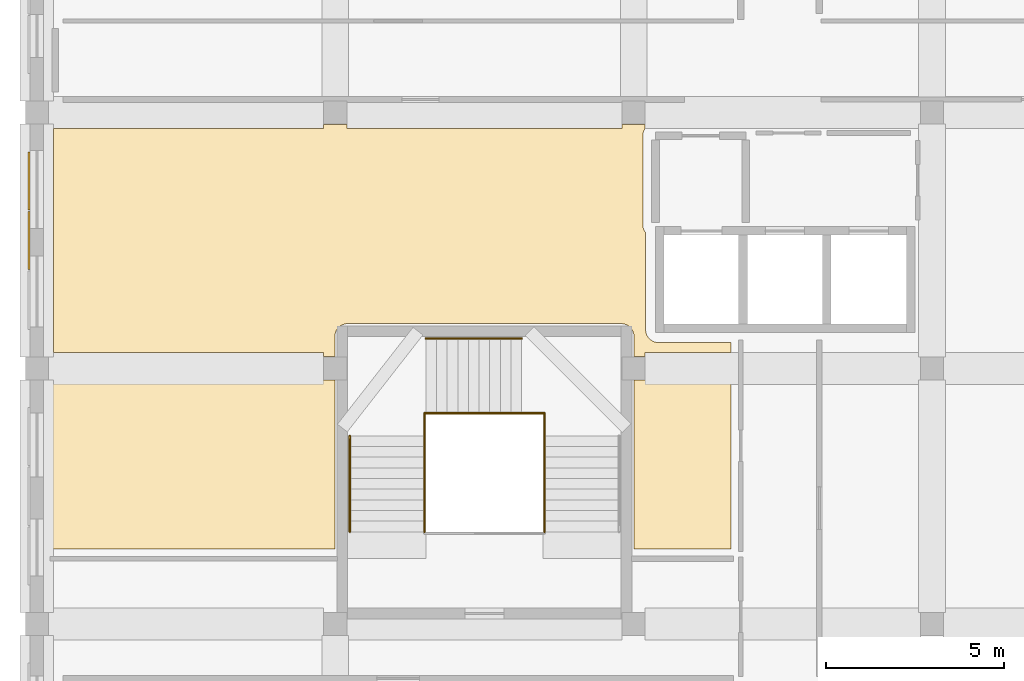
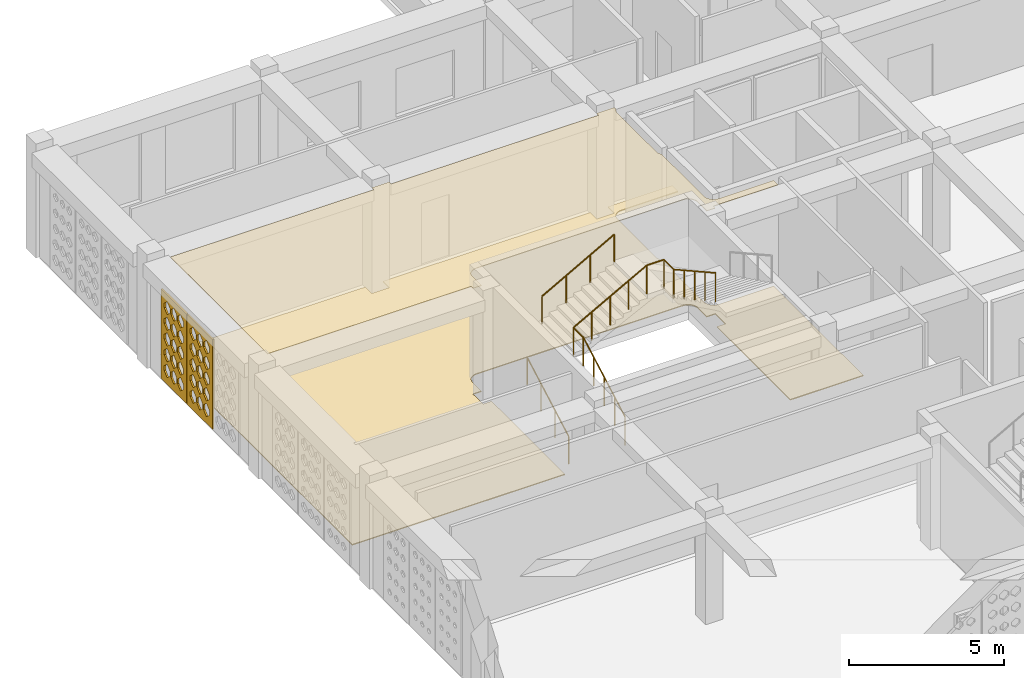
# One storey, part 26 of 47: 5 railings, 4 coverings.
"""IFC4 building model written with IfcOpenShell, lengths in metres."""

from ifc_helpers import new_model, si_unit, derived_unit, direction, frame, origin, origin_2d, place, context, subcontext, project, spatial, polyline, circle, outline, extrude, material, layer, layer_set, type_object, element, save


model = new_model("IFC4")

# Units and contexts
model_context = context("Model", 3, precision=1e-05, world=origin(), true_north=direction((0.0, 1.0)))
body_context = subcontext(model_context, "Body", "Model", "MODEL_VIEW")
ifc_project = project(units=[si_unit("LENGTHUNIT", "METRE"), si_unit("AREAUNIT", "SQUARE_METRE"), si_unit("VOLUMEUNIT", "CUBIC_METRE"), si_unit("PLANEANGLEUNIT", "RADIAN"), si_unit("MASSUNIT", "GRAM", prefix="KILO"), derived_unit("THERMALTRANSMITTANCEUNIT", [(si_unit("POWERUNIT", "WATT"), 1), (si_unit("LENGTHUNIT", "METRE"), -2), (si_unit("THERMODYNAMICTEMPERATUREUNIT", "KELVIN"), -1)])], contexts=[model_context])

# Site, building, storey
site_placement = place(None, origin())
site = spatial("IfcSite", under=ifc_project, at=site_placement, CompositionType="ELEMENT")
building_placement = place(site_placement, origin())
building = spatial("IfcBuilding", under=site, at=building_placement, Name="Veybourne Emporium", CompositionType="ELEMENT")
storey_placement = place(building_placement, frame((0.0, 0.0, 23.39990234375)))
storey = spatial("IfcBuildingStorey", under=building, at=storey_placement, Name="L05", CompositionType="ELEMENT", Elevation=23.39990234375)

# Coverings
ifc_material_1 = material(Name="Mineral Acoustic Ceiling", Category="gypsum")
ifc_layer_1 = layer(ifc_material_1, 0.02490234375)
ifc_layer_set_1 = layer_set([ifc_layer_1], Name="Mineral Acoustic Ceiling")
covering_type_1 = type_object("IfcCoveringType", Name="Ceiling_CLG-01", PredefinedType="CEILING", material=ifc_layer_set_1)
covering_1_placement = place(storey_placement, frame((0.0, 0.0, 4.18505859375)))
element("IfcCovering", 1, at=covering_1_placement, inside=storey, type_object=covering_type_1, Name="L05 coffered acoustic ceiling 04", PredefinedType="CEILING", context=body_context, shape_type="SweptSolid", body=[
    extrude(outline(polyline([(8.72509765625, 42.8701171875), (8.72509765625, 42.751953125), (16.47509765625, 42.751953125), (16.47509765625, 42.8701171875), (17.125, 42.8701171875), (17.125, 42.756103515625), (17.115478515625, 42.74169921875), (17.107421875, 42.728271484375), (17.09814453125, 42.7109375), (17.09130859375, 42.69677734375), (17.083984375, 42.6787109375), (17.07861328125, 42.663818359375), (17.072998046875, 42.64501953125), (17.069091796875, 42.6298828125), (17.065185546875, 42.610595703125), (17.06298828125, 42.594970703125), (17.06103515625, 42.575439453125), (17.060302734375, 42.559814453125), (17.06005859375, 42.550048828125), (17.06005859375, 40.04833984375), (17.060302734375, 40.038818359375), (17.06103515625, 40.0234375), (17.062744140625, 40.00439453125), (17.06494140625, 39.9892578125), (17.068603515625, 39.970458984375), (17.072265625, 39.95556640625), (17.077880859375, 39.93701171875), (17.082763671875, 39.92236328125), (17.090087890625, 39.90478515625), (17.096435546875, 39.890869140625), (17.105224609375, 39.873779296875), (17.113037109375, 39.860595703125), (17.12353515625, 39.844482421875), (17.13232421875, 39.83203125), (17.139892578125, 39.822509765625), (17.139892578125, 37.090087890625), (17.14013671875, 37.080078125), (17.14111328125, 37.064453125), (17.142822265625, 37.044921875), (17.145263671875, 37.029541015625), (17.149169921875, 37.01025390625), (17.15283203125, 36.994873046875), (17.15869140625, 36.97607421875), (17.163818359375, 36.96142578125), (17.17138671875, 36.943359375), (17.177978515625, 36.92919921875), (17.187255859375, 36.911865234375), (17.1953125, 36.8984375), (17.206298828125, 36.8818359375), (17.2158203125, 36.869384765625), (17.22802734375, 36.854248046875), (17.238525390625, 36.842529296875), (17.252685546875, 36.82861328125), (17.26416015625, 36.818115234375), (17.279296875, 36.8056640625), (17.2919921875, 36.79638671875), (17.308349609375, 36.785400390625), (17.32177734375, 36.77734375), (17.339111328125, 36.76806640625), (17.353271484375, 36.761474609375), (17.371337890625, 36.75390625), (17.38623046875, 36.74853515625), (17.405029296875, 36.742919921875), (17.420166015625, 36.739013671875), (17.439453125, 36.7353515625), (17.455078125, 36.73291015625), (17.474609375, 36.73095703125), (17.490234375, 36.730224609375), (17.5, 36.72998046875), (19.5400390625, 36.72998046875), (19.5400390625, 36.447998046875), (17.125, 36.447998046875), (17.125, 36.330078125), (16.81005859375, 36.330078125), (16.81005859375, 36.89990234375), (16.809814453125, 36.909912109375), (16.80908203125, 36.925537109375), (16.80712890625, 36.945068359375), (16.8046875, 36.96044921875), (16.801025390625, 36.979736328125), (16.797119140625, 36.9951171875), (16.79150390625, 37.013916015625), (16.7861328125, 37.028564453125), (16.778564453125, 37.046630859375), (16.77197265625, 37.06103515625), (16.7626953125, 37.078125), (16.754638671875, 37.091796875), (16.74365234375, 37.108154296875), (16.734375, 37.12060546875), (16.721923828125, 37.1357421875), (16.71142578125, 37.1474609375), (16.697265625, 37.161376953125), (16.685791015625, 37.171875), (16.670654296875, 37.184326171875), (16.658203125, 37.193603515625), (16.6416015625, 37.20458984375), (16.628173828125, 37.212646484375), (16.61083984375, 37.221923828125), (16.5966796875, 37.228515625), (16.57861328125, 37.236083984375), (16.56396484375, 37.241455078125), (16.545166015625, 37.2470703125), (16.52978515625, 37.2509765625), (16.510498046875, 37.2548828125), (16.494873046875, 37.257080078125), (16.4755859375, 37.259033203125), (16.459716796875, 37.259765625), (16.449951171875, 37.260009765625), (8.75, 37.260009765625), (8.740234375, 37.259765625), (8.724609375, 37.259033203125), (8.705078125, 37.257080078125), (8.689453125, 37.2548828125), (8.670166015625, 37.2509765625), (8.655029296875, 37.2470703125), (8.63623046875, 37.241455078125), (8.621337890625, 37.236083984375), (8.603271484375, 37.228515625), (8.589111328125, 37.221923828125), (8.57177734375, 37.212646484375), (8.558349609375, 37.20458984375), (8.5419921875, 37.193603515625), (8.529296875, 37.184326171875), (8.51416015625, 37.171875), (8.502685546875, 37.161376953125), (8.488525390625, 37.1474609375), (8.47802734375, 37.1357421875), (8.4658203125, 37.12060546875), (8.456298828125, 37.108154296875), (8.4453125, 37.091796875), (8.437255859375, 37.078125), (8.427978515625, 37.06103515625), (8.42138671875, 37.046630859375), (8.413818359375, 37.028564453125), (8.40869140625, 37.013916015625), (8.40283203125, 36.9951171875), (8.399169921875, 36.979736328125), (8.395263671875, 36.96044921875), (8.392822265625, 36.945068359375), (8.39111328125, 36.925537109375), (8.39013671875, 36.909912109375), (8.389892578125, 36.89990234375), (8.389892578125, 36.330078125), (8.074951171875, 36.330078125), (8.074951171875, 36.447998046875), (0.472900390625, 36.447998046875), (0.472900390625, 42.751953125), (8.074951171875, 42.751953125), (8.074951171875, 42.8701171875), (8.72509765625, 42.8701171875)])), origin(), (0.0, 0.0, 1.0), 0.025146484375),
])
ifc_material_2 = material(Name="European Oak Parquet", Category="wood")
ifc_layer_2 = layer(ifc_material_2, 0.034912109375)
ifc_layer_set_2 = layer_set([ifc_layer_2], Name="European Oak Parquet")
covering_type_2 = type_object("IfcCoveringType", Name="Flooring_FLR-02", PredefinedType="FLOORING", material=ifc_layer_set_2)
covering_2_placement = place(storey_placement, origin())
element("IfcCovering", 2, at=covering_2_placement, inside=storey, type_object=covering_type_2, Name="L05 floor finish 04", PredefinedType="FLOORING", context=body_context, shape_type="SweptSolid", body=[
    extrude(outline(polyline([(0.453369140625, 43.3212890625), (0.471435546875, 43.31396484375), (0.486083984375, 43.30859375), (0.5048828125, 43.302978515625), (0.520263671875, 43.299072265625), (0.53955078125, 43.295166015625), (0.554931640625, 43.29296875), (0.574462890625, 43.291015625), (0.590087890625, 43.290283203125), (0.60009765625, 43.2900390625), (8.070068359375, 43.2900390625), (8.070068359375, 42.8701171875), (8.72998046875, 42.8701171875), (8.72998046875, 43.2900390625), (16.469970703125, 43.2900390625), (16.469970703125, 42.8701171875), (17.1298828125, 42.8701171875), (17.1298828125, 43.2900390625), (19.5400390625, 43.2900390625), (19.5400390625, 42.909912109375), (17.419921875, 42.909912109375), (17.41015625, 42.90966796875), (17.39453125, 42.908935546875), (17.375, 42.906982421875), (17.359375, 42.90478515625), (17.340087890625, 42.90087890625), (17.324951171875, 42.897216796875), (17.30615234375, 42.891357421875), (17.291259765625, 42.88623046875), (17.273193359375, 42.878662109375), (17.259033203125, 42.871826171875), (17.24169921875, 42.86279296875), (17.228271484375, 42.8544921875), (17.2119140625, 42.84375), (17.19921875, 42.834228515625), (17.184326171875, 42.822021484375), (17.172607421875, 42.811279296875), (17.15869140625, 42.79736328125), (17.14794921875, 42.78564453125), (17.1357421875, 42.770751953125), (17.12646484375, 42.758056640625), (17.115478515625, 42.74169921875), (17.107421875, 42.728271484375), (17.09814453125, 42.7109375), (17.09130859375, 42.69677734375), (17.083984375, 42.6787109375), (17.07861328125, 42.663818359375), (17.072998046875, 42.64501953125), (17.069091796875, 42.6298828125), (17.065185546875, 42.610595703125), (17.06298828125, 42.594970703125), (17.06103515625, 42.575439453125), (17.060302734375, 42.559814453125), (17.06005859375, 42.550048828125), (17.06005859375, 40.04833984375), (17.060302734375, 40.038818359375), (17.06103515625, 40.0234375), (17.062744140625, 40.00439453125), (17.06494140625, 39.9892578125), (17.068603515625, 39.970458984375), (17.072265625, 39.95556640625), (17.077880859375, 39.93701171875), (17.082763671875, 39.92236328125), (17.090087890625, 39.90478515625), (17.096435546875, 39.890869140625), (17.105224609375, 39.873779296875), (17.113037109375, 39.860595703125), (17.12353515625, 39.844482421875), (17.13232421875, 39.83203125), (17.139892578125, 39.822509765625), (17.139892578125, 37.090087890625), (17.14013671875, 37.080078125), (17.14111328125, 37.064453125), (17.142822265625, 37.044921875), (17.145263671875, 37.029541015625), (17.149169921875, 37.01025390625), (17.15283203125, 36.994873046875), (17.15869140625, 36.97607421875), (17.163818359375, 36.96142578125), (17.17138671875, 36.943359375), (17.177978515625, 36.92919921875), (17.187255859375, 36.911865234375), (17.1953125, 36.8984375), (17.206298828125, 36.8818359375), (17.2158203125, 36.869384765625), (17.22802734375, 36.854248046875), (17.238525390625, 36.842529296875), (17.252685546875, 36.82861328125), (17.26416015625, 36.818115234375), (17.279296875, 36.8056640625), (17.2919921875, 36.79638671875), (17.308349609375, 36.785400390625), (17.32177734375, 36.77734375), (17.339111328125, 36.76806640625), (17.353271484375, 36.761474609375), (17.371337890625, 36.75390625), (17.38623046875, 36.74853515625), (17.405029296875, 36.742919921875), (17.420166015625, 36.739013671875), (17.439453125, 36.7353515625), (17.455078125, 36.73291015625), (17.474609375, 36.73095703125), (17.490234375, 36.730224609375), (17.5, 36.72998046875), (19.5400390625, 36.72998046875), (19.5400390625, 30.919921875), (16.81005859375, 30.919921875), (16.81005859375, 35.669921875), (17.1298828125, 35.669921875), (17.1298828125, 36.330078125), (16.81005859375, 36.330078125), (16.81005859375, 36.89990234375), (16.809814453125, 36.909912109375), (16.80908203125, 36.925537109375), (16.80712890625, 36.945068359375), (16.8046875, 36.96044921875), (16.801025390625, 36.979736328125), (16.797119140625, 36.9951171875), (16.79150390625, 37.013916015625), (16.7861328125, 37.028564453125), (16.778564453125, 37.046630859375), (16.77197265625, 37.06103515625), (16.7626953125, 37.078125), (16.754638671875, 37.091796875), (16.74365234375, 37.108154296875), (16.734375, 37.12060546875), (16.721923828125, 37.1357421875), (16.71142578125, 37.1474609375), (16.697265625, 37.161376953125), (16.685791015625, 37.171875), (16.670654296875, 37.184326171875), (16.658203125, 37.193603515625), (16.6416015625, 37.20458984375), (16.628173828125, 37.212646484375), (16.61083984375, 37.221923828125), (16.5966796875, 37.228515625), (16.57861328125, 37.236083984375), (16.56396484375, 37.241455078125), (16.545166015625, 37.2470703125), (16.52978515625, 37.2509765625), (16.510498046875, 37.2548828125), (16.494873046875, 37.257080078125), (16.4755859375, 37.259033203125), (16.459716796875, 37.259765625), (16.449951171875, 37.260009765625), (8.75, 37.260009765625), (8.740234375, 37.259765625), (8.724609375, 37.259033203125), (8.705078125, 37.257080078125), (8.689453125, 37.2548828125), (8.670166015625, 37.2509765625), (8.655029296875, 37.2470703125), (8.63623046875, 37.241455078125), (8.621337890625, 37.236083984375), (8.603271484375, 37.228515625), (8.589111328125, 37.221923828125), (8.57177734375, 37.212646484375), (8.558349609375, 37.20458984375), (8.5419921875, 37.193603515625), (8.529296875, 37.184326171875), (8.51416015625, 37.171875), (8.502685546875, 37.161376953125), (8.488525390625, 37.1474609375), (8.47802734375, 37.1357421875), (8.4658203125, 37.12060546875), (8.456298828125, 37.108154296875), (8.4453125, 37.091796875), (8.437255859375, 37.078125), (8.427978515625, 37.06103515625), (8.42138671875, 37.046630859375), (8.413818359375, 37.028564453125), (8.40869140625, 37.013916015625), (8.40283203125, 36.9951171875), (8.399169921875, 36.979736328125), (8.395263671875, 36.96044921875), (8.392822265625, 36.945068359375), (8.39111328125, 36.925537109375), (8.39013671875, 36.909912109375), (8.389892578125, 36.89990234375), (8.389892578125, 36.330078125), (8.070068359375, 36.330078125), (8.070068359375, 35.669921875), (8.389892578125, 35.669921875), (8.389892578125, 30.919921875), (0.43994140625, 30.919921875), (0.43994140625, 43.32763671875), (0.453369140625, 43.3212890625)])), origin(), (0.0, 0.0, 1.0), 0.03515625),
])

# Railings
ifc_material_3 = material(Name="Brushed Stainless Steel", Category="steel")
railing_type_1 = type_object("IfcRailingType", Name="Guard_GR-01", PredefinedType="GUARDRAIL", material=ifc_material_3)
railing_1_placement = place(storey_placement, frame((10.909912109375, 31.39990234375, 0.0)))
element("IfcRailing", 3, at=railing_1_placement, inside=storey, type_object=railing_type_1, Name="L05 ST-02 stair guard 1", PredefinedType="GUARDRAIL", context=body_context, shape_type="SweptSolid", body=[
    extrude(circle(Radius=0.02392578125, at=origin_2d()), frame((0.0, 0.0, 1.1259765625), z_axis=(0.0, 0.874172188743, 0.48561608749), x_axis=(-1.0, 0.0, 0.0)), (0.0, 0.0, 1.0), 3.0888671875),
    extrude(circle(Radius=0.02392578125, at=origin_2d()), frame((0.0, 2.7001953125, 2.6259765625), z_axis=(0.0, 1.0, 0.0), x_axis=(-1.0, 0.0, 0.0)), (0.0, 0.0, 1.0), 0.639892578125),
    extrude(circle(Radius=0.02099609375, at=origin_2d()), origin(), (0.0, 0.0, 1.0), 1.101806640625),
    extrude(circle(Radius=0.02099609375, at=origin_2d()), frame((0.0, 0.675048828125, 0.375)), (0.0, 0.0, 1.0), 1.101806640625),
    extrude(circle(Radius=0.02099609375, at=origin_2d()), frame((0.0, 1.35009765625, 0.75)), (0.0, 0.0, 1.0), 1.101806640625),
    extrude(circle(Radius=0.02099609375, at=origin_2d()), frame((0.0, 2.025146484375, 1.125)), (0.0, 0.0, 1.0), 1.101806640625),
    extrude(circle(Radius=0.02099609375, at=origin_2d()), frame((0.0, 2.7001953125, 1.5)), (0.0, 0.0, 1.0), 1.101806640625),
    extrude(circle(Radius=0.02099609375, at=origin_2d()), frame((0.0, 3.340087890625, 1.5)), (0.0, 0.0, 1.0), 1.101806640625),
])
railing_2_placement = place(storey_placement, frame((10.909912109375, 34.739990234375, 1.5)))
element("IfcRailing", 4, at=railing_2_placement, inside=storey, type_object=railing_type_1, Name="L05 ST-02 stair guard 2", PredefinedType="GUARDRAIL", context=body_context, shape_type="SweptSolid", body=[
    extrude(circle(Radius=0.02392578125, at=origin_2d()), frame((0.0, 0.0, 1.1259765625), z_axis=(0.87715976088, 0.0, 0.480198660861), x_axis=(0.0, 1.0, 0.0)), (0.0, 0.0, 1.0), 3.123779296875),
    extrude(circle(Radius=0.02392578125, at=origin_2d()), frame((2.739990234375, 0.0, 2.6259765625), z_axis=(1.0, 0.0, 0.0), x_axis=(0.0, 1.0, 0.0)), (0.0, 0.0, 1.0), 0.64013671875),
    extrude(circle(Radius=0.02099609375, at=origin_2d()), origin(), (0.0, 0.0, 1.0), 1.101806640625),
    extrude(circle(Radius=0.02099609375, at=origin_2d()), frame((0.68505859375, 0.0, 0.375)), (0.0, 0.0, 1.0), 1.101806640625),
    extrude(circle(Radius=0.02099609375, at=origin_2d()), frame((1.3701171875, 0.0, 0.75)), (0.0, 0.0, 1.0), 1.101806640625),
    extrude(circle(Radius=0.02099609375, at=origin_2d()), frame((2.054931640625, 0.0, 1.125)), (0.0, 0.0, 1.0), 1.101806640625),
    extrude(circle(Radius=0.02099609375, at=origin_2d()), frame((2.739990234375, 0.0, 1.5)), (0.0, 0.0, 1.0), 1.101806640625),
    extrude(circle(Radius=0.02099609375, at=origin_2d()), frame((3.380126953125, 0.0, 1.5)), (0.0, 0.0, 1.0), 1.101806640625),
])
railing_3_placement = place(storey_placement, frame((14.2900390625, 34.739990234375, 3.0)))
element("IfcRailing", 5, at=railing_3_placement, inside=storey, type_object=railing_type_1, Name="L05 ST-02 stair guard 3", PredefinedType="GUARDRAIL", context=body_context, shape_type="SweptSolid", body=[
    extrude(circle(Radius=0.02392578125, at=origin_2d()), frame((0.0, 0.0, 1.1259765625), z_axis=(0.0, -1.0, 0.0), x_axis=(1.0, 0.0, 0.0)), (0.0, 0.0, 1.0), 0.639892578125),
    extrude(circle(Radius=0.02392578125, at=origin_2d()), frame((0.0, -0.639892578125, 1.1259765625), z_axis=(0.0, -0.874172188743, 0.48561608749), x_axis=(1.0, 0.0, 0.0)), (0.0, 0.0, 1.0), 3.0888671875),
    extrude(circle(Radius=0.02099609375, at=origin_2d()), origin(), (0.0, 0.0, 1.0), 1.101806640625),
    extrude(circle(Radius=0.02099609375, at=origin_2d()), frame((0.0, -0.639892578125, 0.0)), (0.0, 0.0, 1.0), 1.101806640625),
    extrude(circle(Radius=0.02099609375, at=origin_2d()), frame((0.0, -1.31494140625, 0.375)), (0.0, 0.0, 1.0), 1.101806640625),
    extrude(circle(Radius=0.02099609375, at=origin_2d()), frame((0.0, -1.989990234375, 0.75)), (0.0, 0.0, 1.0), 1.101806640625),
    extrude(circle(Radius=0.02099609375, at=origin_2d()), frame((0.0, -2.6650390625, 1.125)), (0.0, 0.0, 1.0), 1.101806640625),
    extrude(circle(Radius=0.02099609375, at=origin_2d()), frame((0.0, -3.340087890625, 1.5)), (0.0, 0.0, 1.0), 1.101806640625),
])
railing_type_2 = type_object("IfcRailingType", Name="Handrail_HR-01", PredefinedType="HANDRAIL", material=ifc_material_3)
railing_4_placement = place(storey_placement, frame((8.81005859375, 31.39990234375, 0.150146484375)))
element("IfcRailing", 6, at=railing_4_placement, inside=storey, type_object=railing_type_2, Name="L05 ST-02 pitch handrail 1", PredefinedType="HANDRAIL", context=body_context, shape_type="SweptSolid", body=[
    extrude(circle(Radius=0.02392578125, at=origin_2d()), frame((0.0, 0.0, 0.92578125), z_axis=(0.0, 0.874172188743, 0.48561608749), x_axis=(-1.0, 0.0, 0.0)), (0.0, 0.0, 1.0), 3.0888671875),
    extrude(circle(Radius=0.02099609375, at=origin_2d()), frame((0.0, 0.0, -0.14990234375)), (0.0, 0.0, 1.0), 1.0517578125),
    extrude(circle(Radius=0.02099609375, at=origin_2d()), frame((0.0, 0.900146484375, 0.35009765625)), (0.0, 0.0, 1.0), 1.0517578125),
    extrude(circle(Radius=0.02099609375, at=origin_2d()), frame((0.0, 1.800048828125, 0.85009765625)), (0.0, 0.0, 1.0), 1.0517578125),
    extrude(circle(Radius=0.02099609375, at=origin_2d()), frame((0.0, 2.7001953125, 1.35009765625)), (0.0, 0.0, 1.0), 1.0517578125),
])
railing_5_placement = place(storey_placement, frame((10.949951171875, 36.840087890625, 1.650146484375)))
element("IfcRailing", 7, at=railing_5_placement, inside=storey, type_object=railing_type_2, Name="L05 ST-02 pitch handrail 2", PredefinedType="HANDRAIL", context=body_context, shape_type="SweptSolid", body=[
    extrude(circle(Radius=0.02392578125, at=origin_2d()), frame((0.0, 0.0, 0.92578125), z_axis=(0.87415354758, 0.0, 0.485649642493), x_axis=(0.0, 1.0, 0.0)), (0.0, 0.0, 1.0), 3.088623046875),
    extrude(circle(Radius=0.02099609375, at=origin_2d()), frame((0.0, 0.0, -0.14990234375)), (0.0, 0.0, 1.0), 1.0517578125),
    extrude(circle(Radius=0.02099609375, at=origin_2d()), frame((0.89990234375, 0.0, 0.35009765625)), (0.0, 0.0, 1.0), 1.0517578125),
    extrude(circle(Radius=0.02099609375, at=origin_2d()), frame((1.800048828125, 0.0, 0.85009765625)), (0.0, 0.0, 1.0), 1.0517578125),
    extrude(circle(Radius=0.02099609375, at=origin_2d()), frame((2.699951171875, 0.0, 1.35009765625)), (0.0, 0.0, 1.0), 1.0517578125),
])

# Coverings
ifc_material_4 = material(Name="Warm-White Perforated Aluminium Screen Alloy", Category="aluminium")
ifc_layer_3 = layer(ifc_material_4, 0.06005859375)
ifc_layer_set_3 = layer_set([ifc_layer_3], Name="Warm-White Perforated Aluminium Screen Alloy")
covering_type_3 = type_object("IfcCoveringType", Name="WaveScreen_SCR-01", PredefinedType="CLADDING", material=ifc_layer_set_3)
covering_3_placement = place(storey_placement, frame((-0.248046875, 39.60009765625, 1.830078125), z_axis=(1.0, 0.0, 0.0), x_axis=(0.0, 1.0, 0.0)))
element("IfcCovering", 8, at=covering_3_placement, inside=storey, type_object=covering_type_3, Name="L05 wave-perforated aluminium screen SCR-01 (5.2)", PredefinedType="CLADDING", context=body_context, shape_type="SweptSolid", body=[
    extrude(outline(polyline([(-0.81982421875, -1.77001953125), (0.81982421875, -1.77001953125), (0.81982421875, 1.77001953125), (-0.81982421875, 1.77001953125), (-0.81982421875, -1.77001953125)]), holes=[polyline([(-0.433349609375, -0.973388671875), (-0.2470703125, -1.14404296875), (-0.2470703125, -1.3359375), (-0.433349609375, -1.506591796875), (-0.61962890625, -1.3359375), (-0.61962890625, -1.14404296875), (-0.433349609375, -0.973388671875)]), polyline([(-0.433349609375, -0.353515625), (-0.2470703125, -0.52392578125), (-0.2470703125, -0.716064453125), (-0.433349609375, -0.88671875), (-0.61962890625, -0.716064453125), (-0.61962890625, -0.52392578125), (-0.433349609375, -0.353515625)]), polyline([(-0.433349609375, 0.2666015625), (-0.2470703125, 0.095947265625), (-0.2470703125, -0.095947265625), (-0.433349609375, -0.2666015625), (-0.61962890625, -0.095947265625), (-0.61962890625, 0.095947265625), (-0.433349609375, 0.2666015625)]), polyline([(-0.433349609375, 0.88671875), (-0.2470703125, 0.716064453125), (-0.2470703125, 0.52392578125), (-0.433349609375, 0.353515625), (-0.61962890625, 0.52392578125), (-0.61962890625, 0.716064453125), (-0.433349609375, 0.88671875)]), polyline([(-0.433349609375, 1.506591796875), (-0.2470703125, 1.3359375), (-0.2470703125, 1.14404296875), (-0.433349609375, 0.973388671875), (-0.61962890625, 1.14404296875), (-0.61962890625, 1.3359375), (-0.433349609375, 1.506591796875)]), polyline([(0.0, -0.973388671875), (0.186279296875, -1.14404296875), (0.186279296875, -1.3359375), (0.0, -1.506591796875), (-0.186279296875, -1.3359375), (-0.186279296875, -1.14404296875), (0.0, -0.973388671875)]), polyline([(0.0, -0.353515625), (0.186279296875, -0.52392578125), (0.186279296875, -0.716064453125), (0.0, -0.88671875), (-0.186279296875, -0.716064453125), (-0.186279296875, -0.52392578125), (0.0, -0.353515625)]), polyline([(0.0, 0.2666015625), (0.186279296875, 0.095947265625), (0.186279296875, -0.095947265625), (0.0, -0.2666015625), (-0.186279296875, -0.095947265625), (-0.186279296875, 0.095947265625), (0.0, 0.2666015625)]), polyline([(0.0, 0.88671875), (0.186279296875, 0.716064453125), (0.186279296875, 0.52392578125), (0.0, 0.353515625), (-0.186279296875, 0.52392578125), (-0.186279296875, 0.716064453125), (0.0, 0.88671875)]), polyline([(0.0, 1.506591796875), (0.186279296875, 1.3359375), (0.186279296875, 1.14404296875), (0.0, 0.973388671875), (-0.186279296875, 1.14404296875), (-0.186279296875, 1.3359375), (0.0, 1.506591796875)]), polyline([(0.433349609375, -0.973388671875), (0.61962890625, -1.14404296875), (0.61962890625, -1.3359375), (0.433349609375, -1.506591796875), (0.2470703125, -1.3359375), (0.2470703125, -1.14404296875), (0.433349609375, -0.973388671875)]), polyline([(0.433349609375, -0.353515625), (0.61962890625, -0.52392578125), (0.61962890625, -0.716064453125), (0.433349609375, -0.88671875), (0.2470703125, -0.716064453125), (0.2470703125, -0.52392578125), (0.433349609375, -0.353515625)]), polyline([(0.433349609375, 0.2666015625), (0.61962890625, 0.095947265625), (0.61962890625, -0.095947265625), (0.433349609375, -0.2666015625), (0.2470703125, -0.095947265625), (0.2470703125, 0.095947265625), (0.433349609375, 0.2666015625)]), polyline([(0.433349609375, 0.88671875), (0.61962890625, 0.716064453125), (0.61962890625, 0.52392578125), (0.433349609375, 0.353515625), (0.2470703125, 0.52392578125), (0.2470703125, 0.716064453125), (0.433349609375, 0.88671875)]), polyline([(0.433349609375, 1.506591796875), (0.61962890625, 1.3359375), (0.61962890625, 1.14404296875), (0.433349609375, 0.973388671875), (0.2470703125, 1.14404296875), (0.2470703125, 1.3359375), (0.433349609375, 1.506591796875)])]), origin(), (0.0, 0.0, 1.0), 0.06005859375),
])
ifc_layer_4 = layer(ifc_material_4, 0.06005859375)
ifc_layer_set_4 = layer_set([ifc_layer_4], Name="Warm-White Perforated Aluminium Screen Alloy")
covering_type_4 = type_object("IfcCoveringType", Name="WaveScreen_SCR-02", PredefinedType="CLADDING", material=ifc_layer_set_4)
covering_4_placement = place(storey_placement, frame((-0.248046875, 41.280029296875, 1.830078125), z_axis=(1.0, 0.0, 0.0), x_axis=(0.0, 1.0, 0.0)))
element("IfcCovering", 9, at=covering_4_placement, inside=storey, type_object=covering_type_4, Name="L05 wave-perforated aluminium screen SCR-02 (5.3)", PredefinedType="CLADDING", context=body_context, shape_type="SweptSolid", body=[
    extrude(outline(polyline([(-0.81982421875, -1.77001953125), (0.81982421875, -1.77001953125), (0.81982421875, 1.77001953125), (-0.81982421875, 1.77001953125), (-0.81982421875, -1.77001953125)]), holes=[polyline([(-0.433349609375, -0.973388671875), (-0.2470703125, -1.14404296875), (-0.2470703125, -1.3359375), (-0.433349609375, -1.506591796875), (-0.61962890625, -1.3359375), (-0.61962890625, -1.14404296875), (-0.433349609375, -0.973388671875)]), polyline([(-0.433349609375, -0.353515625), (-0.2470703125, -0.52392578125), (-0.2470703125, -0.716064453125), (-0.433349609375, -0.88671875), (-0.61962890625, -0.716064453125), (-0.61962890625, -0.52392578125), (-0.433349609375, -0.353515625)]), polyline([(-0.433349609375, 0.2666015625), (-0.2470703125, 0.095947265625), (-0.2470703125, -0.095947265625), (-0.433349609375, -0.2666015625), (-0.61962890625, -0.095947265625), (-0.61962890625, 0.095947265625), (-0.433349609375, 0.2666015625)]), polyline([(-0.433349609375, 0.88671875), (-0.2470703125, 0.716064453125), (-0.2470703125, 0.52392578125), (-0.433349609375, 0.353515625), (-0.61962890625, 0.52392578125), (-0.61962890625, 0.716064453125), (-0.433349609375, 0.88671875)]), polyline([(-0.433349609375, 1.501220703125), (-0.2470703125, 1.333984375), (-0.2470703125, 1.14599609375), (-0.433349609375, 0.978759765625), (-0.61962890625, 1.14599609375), (-0.61962890625, 1.333984375), (-0.433349609375, 1.501220703125)]), polyline([(0.0, -0.973388671875), (0.186279296875, -1.14404296875), (0.186279296875, -1.3359375), (0.0, -1.506591796875), (-0.186279296875, -1.3359375), (-0.186279296875, -1.14404296875), (0.0, -0.973388671875)]), polyline([(0.0, -0.353515625), (0.186279296875, -0.52392578125), (0.186279296875, -0.716064453125), (0.0, -0.88671875), (-0.186279296875, -0.716064453125), (-0.186279296875, -0.52392578125), (0.0, -0.353515625)]), polyline([(0.0, 0.2666015625), (0.186279296875, 0.095947265625), (0.186279296875, -0.095947265625), (0.0, -0.2666015625), (-0.186279296875, -0.095947265625), (-0.186279296875, 0.095947265625), (0.0, 0.2666015625)]), polyline([(0.0, 0.88525390625), (0.186279296875, 0.715576171875), (0.186279296875, 0.5244140625), (0.0, 0.354736328125), (-0.186279296875, 0.5244140625), (-0.186279296875, 0.715576171875), (0.0, 0.88525390625)]), polyline([(0.0, 1.497314453125), (0.186279296875, 1.332763671875), (0.186279296875, 1.147216796875), (0.0, 0.982666015625), (-0.186279296875, 1.147216796875), (-0.186279296875, 1.332763671875), (0.0, 1.497314453125)]), polyline([(0.433349609375, -0.973388671875), (0.61962890625, -1.14404296875), (0.61962890625, -1.3359375), (0.433349609375, -1.506591796875), (0.2470703125, -1.3359375), (0.2470703125, -1.14404296875), (0.433349609375, -0.973388671875)]), polyline([(0.433349609375, -0.353515625), (0.61962890625, -0.52392578125), (0.61962890625, -0.716064453125), (0.433349609375, -0.88671875), (0.2470703125, -0.716064453125), (0.2470703125, -0.52392578125), (0.433349609375, -0.353515625)]), polyline([(0.433349609375, 0.2666015625), (0.61962890625, 0.095947265625), (0.61962890625, -0.095947265625), (0.433349609375, -0.2666015625), (0.2470703125, -0.095947265625), (0.2470703125, 0.095947265625), (0.433349609375, 0.2666015625)]), polyline([(0.433349609375, 0.882080078125), (0.61962890625, 0.71435546875), (0.61962890625, 0.525634765625), (0.433349609375, 0.35791015625), (0.2470703125, 0.525634765625), (0.2470703125, 0.71435546875), (0.433349609375, 0.882080078125)]), polyline([(0.433349609375, 1.4931640625), (0.61962890625, 1.331298828125), (0.61962890625, 1.148681640625), (0.433349609375, 0.98681640625), (0.2470703125, 1.148681640625), (0.2470703125, 1.331298828125), (0.433349609375, 1.4931640625)])]), origin(), (0.0, 0.0, 1.0), 0.06005859375),
])

save(model, "model.ifc")
